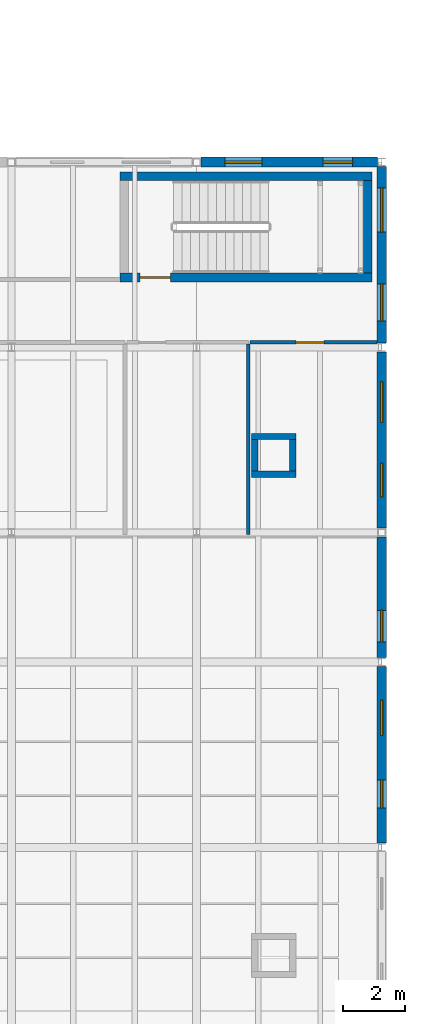
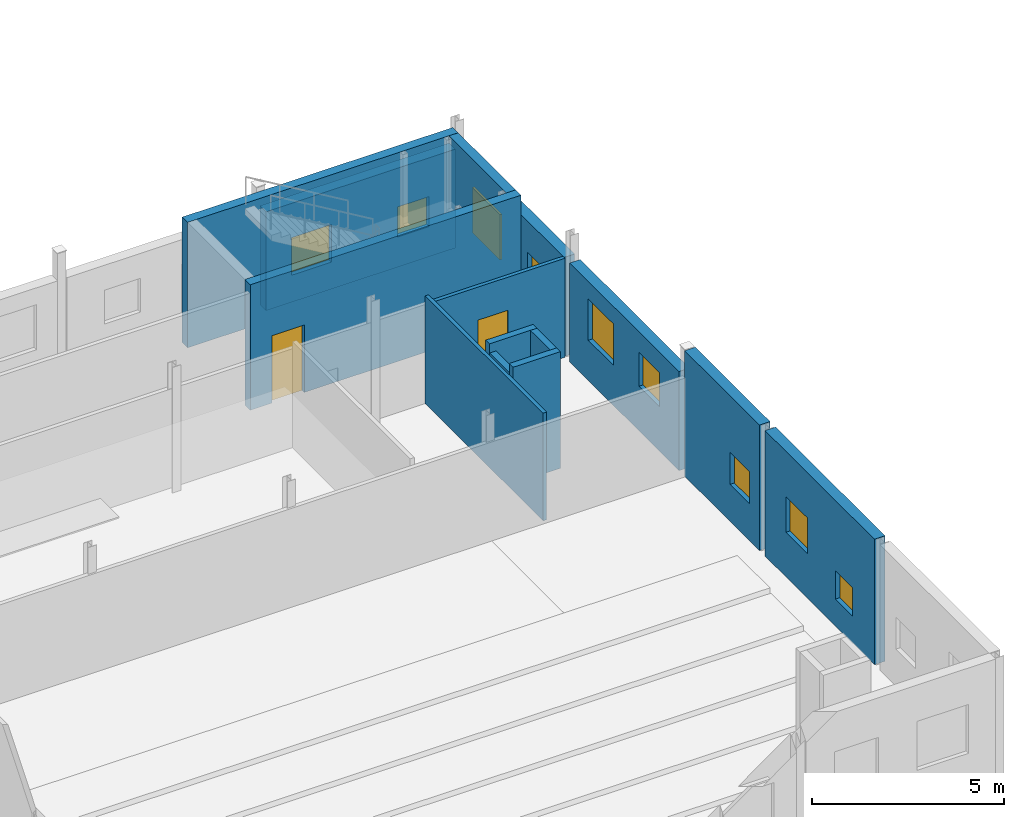
# One storey, part 76 of 92: 14 walls, 9 windows, 2 doors, 11 openings.
"""IFC4 building model written with IfcOpenShell, lengths in metres."""

from ifc_helpers import new_model, si_unit, direction, frame, frame_2d, origin, place, context, subcontext, project, spatial, rectangle, extrude, material, layer, layer_set, type_object, element, fill, save


model = new_model("IFC4")

# Units and contexts
model_context = context("Model", 3, precision=1e-05, world=origin(), true_north=direction((0.0, 1.0)))
body_context = subcontext(model_context, "Body", "Model", "MODEL_VIEW")
ifc_project = project(units=[si_unit("LENGTHUNIT", "METRE"), si_unit("AREAUNIT", "SQUARE_METRE"), si_unit("VOLUMEUNIT", "CUBIC_METRE"), si_unit("PLANEANGLEUNIT", "RADIAN"), si_unit("MASSUNIT", "GRAM", prefix="KILO")], contexts=[model_context])

# Site, building, storey
site_placement = place(None, origin())
site = spatial("IfcSite", under=ifc_project, at=site_placement, CompositionType="ELEMENT")
building_placement = place(site_placement, origin())
building = spatial("IfcBuilding", under=site, at=building_placement, Name="Siltcreek Boulevard Central Fire Station", CompositionType="ELEMENT")
storey_placement = place(building_placement, frame((0.0, 0.0, 6.0)))
storey = spatial("IfcBuildingStorey", under=building, at=storey_placement, Name="L02", CompositionType="ELEMENT", Elevation=6.0)

# Wall, opening, door
ifc_material_1 = material(Name="Concrete C40/50", Category="concrete")
ifc_layer_1 = layer(ifc_material_1, 0.280029296875, Name="Concrete C40/50")
ifc_layer_set_1 = layer_set([ifc_layer_1], Name="Concrete C40/50")
wall_type_1 = type_object("IfcWallType", Name="CW_SHEAR280", PredefinedType="SHEAR", material=ifc_layer_set_1)
wall_1_placement = place(storey_placement, frame((157.719970703125, 26.260009765625, 0.0), z_axis=(0.0, 0.0, 1.0), x_axis=(1.0, 0.0, 0.0)))
wall_1 = element("IfcWall", 1, at=wall_1_placement, inside=storey, type_object=wall_type_1, Name="L02 ST-V6B stair enclosure south shear wall", PredefinedType="SHEAR", context=body_context, shape_type="SweptSolid", body=[
    extrude(rectangle(XDim=8.159912109375, YDim=0.280029296875, at=frame_2d((4.080078125, 0.0))), origin(), (0.0, 0.0, 1.0), 4.0),
])
opening_1_placement = place(wall_1_placement, frame((0.64990234375, 0.0, 0.0)))
opening_1 = element("IfcOpeningElement", 2, at=opening_1_placement, cuts=wall_1, Name="Opening SD-048", PredefinedType="OPENING", context=body_context, shape_type="SweptSolid", body=[
    extrude(rectangle(XDim=0.97998046875, YDim=2.14990234375, at=frame_2d((0.489990234375, 1.074951171875))), frame((0.0, 0.14990234375, 0.0), z_axis=(0.0, -1.0, 0.0), x_axis=(1.0, 0.0, 0.0)), (0.0, 0.0, 1.0), 0.300048828125),
])
ifc_material_2 = material(Name="Hollow metal 90-min enclosed stair door")
door_type_1 = type_object("IfcDoorType", Name="DR_ST_098X215", OperationType="NOTDEFINED", PredefinedType="DOOR", material=ifc_material_2)
door_1_placement = place(opening_1_placement, origin())
door_1 = element("IfcDoor", 3, at=door_1_placement, inside=storey, type_object=door_type_1, Name="L02 ST-V6B enclosed exit stair door SD-048", OperationType="SINGLE_SWING_LEFT", OverallHeight=2.14990234375, OverallWidth=0.97998046875, PredefinedType="DOOR", context=body_context, shape_type="SweptSolid", body=[
    extrude(rectangle(XDim=0.97998046875, YDim=2.14990234375, at=frame_2d((0.489990234375, 1.074951171875))), frame((0.0, 0.02490234375, 0.0), z_axis=(0.0, -1.0, 0.0), x_axis=(1.0, 0.0, 0.0)), (0.0, 0.0, 1.0), 0.050048828125),
])
fill(opening_1, door_1)

# Walls
wall_2_placement = place(storey_placement, frame((165.8798828125, 29.5400390625, 0.0), z_axis=(0.0, 0.0, 1.0), x_axis=(-1.0, 0.0, 0.0)))
element("IfcWall", 4, at=wall_2_placement, inside=storey, type_object=wall_type_1, Name="L02 ST-V6B stair enclosure north shear wall", PredefinedType="SHEAR", context=body_context, shape_type="SweptSolid", body=[
    extrude(rectangle(XDim=8.159912109375, YDim=0.280029296875, at=frame_2d((4.080078125, 0.0))), origin(), (0.0, 0.0, 1.0), 4.0),
])
wall_3_placement = place(storey_placement, frame((165.739990234375, 26.39990234375, 0.0), z_axis=(0.0, 0.0, 1.0), x_axis=(0.0, 1.0, 0.0)))
element("IfcWall", 5, at=wall_3_placement, inside=storey, type_object=wall_type_1, Name="L02 ST-V6B stair enclosure east shear wall", PredefinedType="SHEAR", context=body_context, shape_type="SweptSolid", body=[
    extrude(rectangle(XDim=3.0, YDim=0.280029296875, at=frame_2d((1.5, 0.0))), origin(), (0.0, 0.0, 1.0), 4.0),
])

# Wall, openings, windows
ifc_material_3 = material(Name="White ribbed aluminum insulated rainscreen panel", Category="aluminium")
ifc_layer_2 = layer(ifc_material_3, 0.320068359375, Name="White ribbed aluminum insulated rainscreen panel")
ifc_layer_set_2 = layer_set([ifc_layer_2], Name="White ribbed aluminum insulated rainscreen panel")
wall_type_2 = type_object("IfcWallType", Name="EW_METAL320", PredefinedType="STANDARD", material=ifc_layer_set_2)
wall_4_placement = place(storey_placement, frame((166.054931640625, 30.0, 0.0), z_axis=(0.0, 0.0, 1.0), x_axis=(-1.0, 0.0, 0.0)))
wall_4 = element("IfcWall", 6, at=wall_4_placement, inside=storey, type_object=wall_type_2, Name="L02 V6 exterior insulated rainscreen wall WL-EXT-L02-0474", PredefinedType="STANDARD", context=body_context, shape_type="SweptSolid", body=[
    extrude(rectangle(XDim=5.7099609375, YDim=0.320068359375, at=frame_2d((2.85498046875, 0.0))), origin(), (0.0, 0.0, 1.0), 3.153076171875),
])
opening_2_placement = place(wall_4_placement, frame((0.7958984375, 0.0, 0.9599609375)))
opening_2 = element("IfcOpeningElement", 7, at=opening_2_placement, cuts=wall_4, Name="Opening WN06", PredefinedType="OPENING", context=body_context, shape_type="SweptSolid", body=[
    extrude(rectangle(XDim=0.9599609375, YDim=0.9599609375, at=frame_2d((0.47998046875, 0.47998046875))), frame((0.0, 0.169921875, 0.0), z_axis=(0.0, -1.0, 0.0), x_axis=(1.0, 0.0, 0.0)), (0.0, 0.0, 1.0), 0.340087890625),
])
opening_3_placement = place(wall_4_placement, frame((3.73828125, 0.0, 0.860107421875)))
opening_3 = element("IfcOpeningElement", 8, at=opening_3_placement, cuts=wall_4, Name="Opening WN01", PredefinedType="OPENING", context=body_context, shape_type="SweptSolid", body=[
    extrude(rectangle(XDim=1.199951171875, YDim=1.199951171875, at=frame_2d((0.60009765625, 0.60009765625))), frame((0.0, 0.169921875, 0.0), z_axis=(0.0, -1.0, 0.0), x_axis=(1.0, 0.0, 0.0)), (0.0, 0.0, 1.0), 0.340087890625),
])
ifc_material_4 = material(Name="Thermally broken aluminum frame with low-E insulated glass", Category="aluminium")
window_type_1 = type_object("IfcWindowType", Name="WN_SQ_096X096", PartitioningType="SINGLE_PANEL", PredefinedType="WINDOW", material=ifc_material_4)
window_1_placement = place(opening_2_placement, origin())
window_1 = element("IfcWindow", 9, at=window_1_placement, inside=storey, type_object=window_type_1, Name="L02 V6 square exterior window WN-0204", OverallHeight=0.9599609375, OverallWidth=0.9599609375, PartitioningType="SINGLE_PANEL", PredefinedType="WINDOW", context=body_context, shape_type="SweptSolid", body=[
    extrude(rectangle(XDim=0.9599609375, YDim=0.9599609375, at=frame_2d((0.47998046875, 0.47998046875))), frame((0.0, 0.030029296875, 0.0), z_axis=(0.0, -1.0, 0.0), x_axis=(1.0, 0.0, 0.0)), (0.0, 0.0, 1.0), 0.06005859375),
])
fill(opening_2, window_1)
window_type_2 = type_object("IfcWindowType", Name="WN_SQ_120X120", PartitioningType="SINGLE_PANEL", PredefinedType="WINDOW", material=ifc_material_4)
window_2_placement = place(opening_3_placement, origin())
window_2 = element("IfcWindow", 10, at=window_2_placement, inside=storey, type_object=window_type_2, Name="L02 V6 square exterior window WN-0205", OverallHeight=1.199951171875, OverallWidth=1.199951171875, PartitioningType="SINGLE_PANEL", PredefinedType="WINDOW", context=body_context, shape_type="SweptSolid", body=[
    extrude(rectangle(XDim=1.199951171875, YDim=1.199951171875, at=frame_2d((0.60009765625, 0.60009765625))), frame((0.0, 0.030029296875, 0.0), z_axis=(0.0, -1.0, 0.0), x_axis=(1.0, 0.0, 0.0)), (0.0, 0.0, 1.0), 0.06005859375),
])
fill(opening_3, window_2)

wall_5_placement = place(storey_placement, frame((166.199951171875, 7.945068359375, 0.0), z_axis=(0.0, 0.0, 1.0), x_axis=(0.0, 1.0, 0.0)))
wall_5 = element("IfcWall", 11, at=wall_5_placement, inside=storey, type_object=wall_type_2, Name="L02 V6 exterior insulated rainscreen wall WL-EXT-L02-0481", PredefinedType="STANDARD", context=body_context, shape_type="SweptSolid", body=[
    extrude(rectangle(XDim=5.7099609375, YDim=0.320068359375, at=frame_2d((2.85498046875, 0.0))), origin(), (0.0, 0.0, 1.0), 4.0),
])
opening_4_placement = place(wall_5_placement, frame((1.13134765625, 0.0, 0.860107421875)))
opening_4 = element("IfcOpeningElement", 12, at=opening_4_placement, cuts=wall_5, Name="Opening WN37", PredefinedType="OPENING", context=body_context, shape_type="SweptSolid", body=[
    extrude(rectangle(XDim=0.89990234375, YDim=0.89990234375, at=frame_2d((0.449951171875, 0.449951171875))), frame((0.0, 0.169921875, 0.0), z_axis=(0.0, -1.0, 0.0), x_axis=(1.0, 0.0, 0.0)), (0.0, 0.0, 1.0), 0.340087890625),
])
opening_5_placement = place(wall_5_placement, frame((3.4833984375, 0.0, 1.419921875)))
opening_5 = element("IfcOpeningElement", 13, at=opening_5_placement, cuts=wall_5, Name="Opening WN39", PredefinedType="OPENING", context=body_context, shape_type="SweptSolid", body=[
    extrude(rectangle(XDim=1.139892578125, YDim=1.139892578125, at=frame_2d((0.56982421875, 0.56982421875))), frame((0.0, 0.169921875, 0.0), z_axis=(0.0, -1.0, 0.0), x_axis=(1.0, 0.0, 0.0)), (0.0, 0.0, 1.0), 0.340087890625),
])
window_type_3 = type_object("IfcWindowType", Name="WN_SQ_090X090", PartitioningType="SINGLE_PANEL", PredefinedType="WINDOW", material=ifc_material_4)
window_3_placement = place(opening_4_placement, origin())
window_3 = element("IfcWindow", 14, at=window_3_placement, inside=storey, type_object=window_type_3, Name="L02 V6 square exterior window WN-0215", OverallHeight=0.89990234375, OverallWidth=0.89990234375, PartitioningType="SINGLE_PANEL", PredefinedType="WINDOW", context=body_context, shape_type="SweptSolid", body=[
    extrude(rectangle(XDim=0.89990234375, YDim=0.89990234375, at=frame_2d((0.449951171875, 0.449951171875))), frame((0.0, 0.030029296875, 0.0), z_axis=(0.0, -1.0, 0.0), x_axis=(1.0, 0.0, 0.0)), (0.0, 0.0, 1.0), 0.06005859375),
])
fill(opening_4, window_3)
window_type_4 = type_object("IfcWindowType", Name="WN_SQ_114X114", PartitioningType="SINGLE_PANEL", PredefinedType="WINDOW", material=ifc_material_4)
window_4_placement = place(opening_5_placement, origin())
window_4 = element("IfcWindow", 15, at=window_4_placement, inside=storey, type_object=window_type_4, Name="L02 V6 square exterior window WN-0216", OverallHeight=1.139892578125, OverallWidth=1.139892578125, PartitioningType="SINGLE_PANEL", PredefinedType="WINDOW", context=body_context, shape_type="SweptSolid", body=[
    extrude(rectangle(XDim=1.139892578125, YDim=1.139892578125, at=frame_2d((0.56982421875, 0.56982421875))), frame((0.0, 0.030029296875, 0.0), z_axis=(0.0, -1.0, 0.0), x_axis=(1.0, 0.0, 0.0)), (0.0, 0.0, 1.0), 0.06005859375),
])
fill(opening_5, window_4)

# Wall, opening, window
wall_6_placement = place(storey_placement, frame((166.199951171875, 13.945068359375, 0.0), z_axis=(0.0, 0.0, 1.0), x_axis=(0.0, 1.0, 0.0)))
wall_6 = element("IfcWall", 16, at=wall_6_placement, inside=storey, type_object=wall_type_2, Name="L02 V6 exterior insulated rainscreen wall WL-EXT-L02-0482", PredefinedType="STANDARD", context=body_context, shape_type="SweptSolid", body=[
    extrude(rectangle(XDim=3.909912109375, YDim=0.320068359375, at=frame_2d((1.955078125, 0.0))), origin(), (0.0, 0.0, 1.0), 4.0),
])
opening_6_placement = place(wall_6_placement, frame((0.51025390625, 0.0, 1.179931640625)))
opening_6 = element("IfcOpeningElement", 17, at=opening_6_placement, cuts=wall_6, Name="Opening WN38", PredefinedType="OPENING", context=body_context, shape_type="SweptSolid", body=[
    extrude(rectangle(XDim=1.02001953125, YDim=1.02001953125, at=frame_2d((0.510009765625, 0.510009765625))), frame((0.0, 0.169921875, 0.0), z_axis=(0.0, -1.0, 0.0), x_axis=(1.0, 0.0, 0.0)), (0.0, 0.0, 1.0), 0.340087890625),
])
window_type_5 = type_object("IfcWindowType", Name="WN_SQ_102X102", PartitioningType="SINGLE_PANEL", PredefinedType="WINDOW", material=ifc_material_4)
window_5_placement = place(opening_6_placement, origin())
window_5 = element("IfcWindow", 18, at=window_5_placement, inside=storey, type_object=window_type_5, Name="L02 V6 square exterior window WN-0217", OverallHeight=1.02001953125, OverallWidth=1.02001953125, PartitioningType="SINGLE_PANEL", PredefinedType="WINDOW", context=body_context, shape_type="SweptSolid", body=[
    extrude(rectangle(XDim=1.02001953125, YDim=1.02001953125, at=frame_2d((0.510009765625, 0.510009765625))), frame((0.0, 0.030029296875, 0.0), z_axis=(0.0, -1.0, 0.0), x_axis=(1.0, 0.0, 0.0)), (0.0, 0.0, 1.0), 0.06005859375),
])
fill(opening_6, window_5)

# Wall, openings, windows
wall_7_placement = place(storey_placement, frame((166.199951171875, 18.14501953125, 0.0), z_axis=(0.0, 0.0, 1.0), x_axis=(0.0, 1.0, 0.0)))
wall_7 = element("IfcWall", 19, at=wall_7_placement, inside=storey, type_object=wall_type_2, Name="L02 V6 exterior insulated rainscreen wall WL-EXT-L02-0483", PredefinedType="STANDARD", context=body_context, shape_type="SweptSolid", body=[
    extrude(rectangle(XDim=5.7099609375, YDim=0.320068359375, at=frame_2d((2.85498046875, 0.0))), origin(), (0.0, 0.0, 1.0), 3.156982421875),
])
opening_7_placement = place(wall_7_placement, frame((1.014404296875, 0.0, 1.419921875)))
opening_7 = element("IfcOpeningElement", 20, at=opening_7_placement, cuts=wall_7, Name="Opening WN05", PredefinedType="OPENING", context=body_context, shape_type="SweptSolid", body=[
    extrude(rectangle(XDim=1.080078125, YDim=1.080078125, at=frame_2d((0.5400390625, 0.5400390625))), frame((0.0, 0.169921875, 0.0), z_axis=(0.0, -1.0, 0.0), x_axis=(1.0, 0.0, 0.0)), (0.0, 0.0, 1.0), 0.340087890625),
])
opening_8_placement = place(wall_7_placement, frame((3.42041015625, 0.0, 1.280029296875)))
opening_8 = element("IfcOpeningElement", 21, at=opening_8_placement, cuts=wall_7, Name="Opening WN02", PredefinedType="OPENING", context=body_context, shape_type="SweptSolid", body=[
    extrude(rectangle(XDim=1.320068359375, YDim=1.320068359375, at=frame_2d((0.66015625, 0.66015625))), frame((0.0, 0.169921875, 0.0), z_axis=(0.0, -1.0, 0.0), x_axis=(1.0, 0.0, 0.0)), (0.0, 0.0, 1.0), 0.340087890625),
])
window_type_6 = type_object("IfcWindowType", Name="WN_SQ_108X108", PartitioningType="SINGLE_PANEL", PredefinedType="WINDOW", material=ifc_material_4)
window_6_placement = place(opening_7_placement, origin())
window_6 = element("IfcWindow", 22, at=window_6_placement, inside=storey, type_object=window_type_6, Name="L02 V6 square exterior window WN-0218", OverallHeight=1.080078125, OverallWidth=1.080078125, PartitioningType="SINGLE_PANEL", PredefinedType="WINDOW", context=body_context, shape_type="SweptSolid", body=[
    extrude(rectangle(XDim=1.080078125, YDim=1.080078125, at=frame_2d((0.5400390625, 0.5400390625))), frame((0.0, 0.030029296875, 0.0), z_axis=(0.0, -1.0, 0.0), x_axis=(1.0, 0.0, 0.0)), (0.0, 0.0, 1.0), 0.06005859375),
])
fill(opening_7, window_6)
window_type_7 = type_object("IfcWindowType", Name="WN_SQ_132X132", PartitioningType="SINGLE_PANEL", PredefinedType="WINDOW", material=ifc_material_4)
window_7_placement = place(opening_8_placement, origin())
window_7 = element("IfcWindow", 23, at=window_7_placement, inside=storey, type_object=window_type_7, Name="L02 V6 square exterior window WN-0219", OverallHeight=1.320068359375, OverallWidth=1.320068359375, PartitioningType="SINGLE_PANEL", PredefinedType="WINDOW", context=body_context, shape_type="SweptSolid", body=[
    extrude(rectangle(XDim=1.320068359375, YDim=1.320068359375, at=frame_2d((0.66015625, 0.66015625))), frame((0.0, 0.030029296875, 0.0), z_axis=(0.0, -1.0, 0.0), x_axis=(1.0, 0.0, 0.0)), (0.0, 0.0, 1.0), 0.06005859375),
])
fill(opening_8, window_7)

wall_8_placement = place(storey_placement, frame((166.199951171875, 24.14501953125, 0.0), z_axis=(0.0, 0.0, 1.0), x_axis=(0.0, 1.0, 0.0)))
wall_8 = element("IfcWall", 24, at=wall_8_placement, inside=storey, type_object=wall_type_2, Name="L02 V6 exterior insulated rainscreen wall WL-EXT-L02-0484", PredefinedType="STANDARD", context=body_context, shape_type="SweptSolid", body=[
    extrude(rectangle(XDim=5.7099609375, YDim=0.320068359375, at=frame_2d((2.85498046875, 0.0))), origin(), (0.0, 0.0, 1.0), 3.156982421875),
])
opening_9_placement = place(wall_8_placement, frame((0.7119140625, 0.0, 0.9599609375)))
opening_9 = element("IfcOpeningElement", 25, at=opening_9_placement, cuts=wall_8, Name="Opening WN01", PredefinedType="OPENING", context=body_context, shape_type="SweptSolid", body=[
    extrude(rectangle(XDim=1.199951171875, YDim=1.199951171875, at=frame_2d((0.60009765625, 0.60009765625))), frame((0.0, 0.169921875, 0.0), z_axis=(0.0, -1.0, 0.0), x_axis=(1.0, 0.0, 0.0)), (0.0, 0.0, 1.0), 0.340087890625),
])
opening_10_placement = place(wall_8_placement, frame((3.582275390625, 0.0, 0.860107421875)))
opening_10 = element("IfcOpeningElement", 26, at=opening_10_placement, cuts=wall_8, Name="Opening WN03", PredefinedType="OPENING", context=body_context, shape_type="SweptSolid", body=[
    extrude(rectangle(XDim=1.43994140625, YDim=1.43994140625, at=frame_2d((0.719970703125, 0.719970703125))), frame((0.0, 0.169921875, 0.0), z_axis=(0.0, -1.0, 0.0), x_axis=(1.0, 0.0, 0.0)), (0.0, 0.0, 1.0), 0.340087890625),
])
window_8_placement = place(opening_9_placement, origin())
window_8 = element("IfcWindow", 27, at=window_8_placement, inside=storey, type_object=window_type_2, Name="L02 V6 square exterior window WN-0220", OverallHeight=1.199951171875, OverallWidth=1.199951171875, PartitioningType="SINGLE_PANEL", PredefinedType="WINDOW", context=body_context, shape_type="SweptSolid", body=[
    extrude(rectangle(XDim=1.199951171875, YDim=1.199951171875, at=frame_2d((0.60009765625, 0.60009765625))), frame((0.0, 0.030029296875, 0.0), z_axis=(0.0, -1.0, 0.0), x_axis=(1.0, 0.0, 0.0)), (0.0, 0.0, 1.0), 0.06005859375),
])
fill(opening_9, window_8)
window_type_8 = type_object("IfcWindowType", Name="WN_SQ_144X144", PartitioningType="SINGLE_PANEL", PredefinedType="WINDOW", material=ifc_material_4)
window_9_placement = place(opening_10_placement, origin())
window_9 = element("IfcWindow", 28, at=window_9_placement, inside=storey, type_object=window_type_8, Name="L02 V6 square exterior window WN-0221", OverallHeight=1.43994140625, OverallWidth=1.43994140625, PartitioningType="SINGLE_PANEL", PredefinedType="WINDOW", context=body_context, shape_type="SweptSolid", body=[
    extrude(rectangle(XDim=1.43994140625, YDim=1.43994140625, at=frame_2d((0.719970703125, 0.719970703125))), frame((0.0, 0.030029296875, 0.0), z_axis=(0.0, -1.0, 0.0), x_axis=(1.0, 0.0, 0.0)), (0.0, 0.0, 1.0), 0.06005859375),
])
fill(opening_10, window_9)

# Walls
ifc_material_5 = material(Name="Fire-rated concrete masonry and gypsum barrier", Category="masonry")
ifc_layer_3 = layer(ifc_material_5, 0.199951171875, Name="Fire-rated concrete masonry and gypsum barrier")
ifc_layer_set_3 = layer_set([ifc_layer_3], Name="Fire-rated concrete masonry and gypsum barrier")
wall_type_3 = type_object("IfcWallType", Name="IW_FIRE200", PredefinedType="PARTITIONING", material=ifc_layer_set_3)
wall_9_placement = place(storey_placement, frame((161.985107421875, 19.885009765625, 0.0), z_axis=(0.0, 0.0, 1.0), x_axis=(1.0, 0.0, 0.0)))
element("IfcWall", 29, at=wall_9_placement, inside=storey, type_object=wall_type_3, Name="L02 enclosed MEP service riser wall 023-S", PredefinedType="PARTITIONING", context=body_context, shape_type="SweptSolid", body=[
    extrude(rectangle(XDim=1.429931640625, YDim=0.199951171875, at=frame_2d((0.71484375, 0.0))), origin(), (0.0, 0.0, 1.0), 3.719970703125),
])
wall_10_placement = place(storey_placement, frame((163.31494140625, 19.985107421875, 0.0), z_axis=(0.0, 0.0, 1.0), x_axis=(0.0, 1.0, 0.0)))
element("IfcWall", 30, at=wall_10_placement, inside=storey, type_object=wall_type_3, Name="L02 enclosed MEP service riser wall 023-E", PredefinedType="PARTITIONING", context=body_context, shape_type="SweptSolid", body=[
    extrude(rectangle(XDim=1.02978515625, YDim=0.199951171875, at=frame_2d((0.514892578125, 0.0))), origin(), (0.0, 0.0, 1.0), 3.719970703125),
])
wall_11_placement = place(storey_placement, frame((163.4150390625, 21.114990234375, 0.0), z_axis=(0.0, 0.0, 1.0), x_axis=(-1.0, 0.0, 0.0)))
element("IfcWall", 31, at=wall_11_placement, inside=storey, type_object=wall_type_3, Name="L02 enclosed MEP service riser wall 023-N", PredefinedType="PARTITIONING", context=body_context, shape_type="SweptSolid", body=[
    extrude(rectangle(XDim=1.429931640625, YDim=0.199951171875, at=frame_2d((0.71484375, 0.0))), origin(), (0.0, 0.0, 1.0), 3.719970703125),
])
wall_12_placement = place(storey_placement, frame((162.0849609375, 21.014892578125, 0.0), z_axis=(0.0, 0.0, 1.0), x_axis=(0.0, -1.0, 0.0)))
element("IfcWall", 32, at=wall_12_placement, inside=storey, type_object=wall_type_3, Name="L02 enclosed MEP service riser wall 023-W", PredefinedType="PARTITIONING", context=body_context, shape_type="SweptSolid", body=[
    extrude(rectangle(XDim=1.02978515625, YDim=0.199951171875, at=frame_2d((0.514892578125, 0.0))), origin(), (0.0, 0.0, 1.0), 3.429931640625),
])
ifc_material_6 = material(Name="Moisture-resistant tile backer toilet partition", Category="gypsum")
ifc_layer_4 = layer(ifc_material_6, 0.110107421875, Name="Moisture-resistant tile backer toilet partition")
ifc_layer_set_4 = layer_set([ifc_layer_4], Name="Moisture-resistant tile backer toilet partition")
wall_type_4 = type_object("IfcWallType", Name="IW_WET110", PredefinedType="PARTITIONING", material=ifc_layer_set_4)
wall_13_placement = place(storey_placement, frame((161.8798828125, 24.10498046875, 0.0), z_axis=(0.0, 0.0, 1.0), x_axis=(0.0, -1.0, 0.0)))
element("IfcWall", 33, at=wall_13_placement, inside=storey, type_object=wall_type_4, Name="L02 Academy Staff Toilet L02 partition 0199", PredefinedType="PARTITIONING", context=body_context, shape_type="SweptSolid", body=[
    extrude(rectangle(XDim=6.16259765625, YDim=0.110107421875, at=frame_2d((3.081298828125, 0.0))), origin(), (0.0, 0.0, 1.0), 3.429931640625),
])

# Wall, opening, door
wall_14_placement = place(storey_placement, frame((161.93505859375, 24.159912109375, 0.0), z_axis=(0.0, 0.0, 1.0), x_axis=(1.0, 0.0, 0.0)))
wall_14 = element("IfcWall", 34, at=wall_14_placement, inside=storey, type_object=wall_type_4, Name="L02 Academy Accessible Toilet L02 partition 0200", PredefinedType="PARTITIONING", context=body_context, shape_type="SweptSolid", body=[
    extrude(rectangle(XDim=4.10498046875, YDim=0.110107421875, at=frame_2d((2.052490234375, 0.0))), origin(), (0.0, 0.0, 1.0), 3.153076171875),
])
opening_11_placement = place(wall_14_placement, frame((1.491455078125, 0.0, 0.0)))
opening_11 = element("IfcOpeningElement", 35, at=opening_11_placement, cuts=wall_14, Name="Opening ID08", PredefinedType="OPENING", context=body_context, shape_type="SweptSolid", body=[
    extrude(rectangle(XDim=0.89990234375, YDim=2.10009765625, at=frame_2d((0.449951171875, 1.050048828125))), frame((0.0, 0.06494140625, 0.0), z_axis=(0.0, -1.0, 0.0), x_axis=(1.0, 0.0, 0.0)), (0.0, 0.0, 1.0), 0.130126953125),
])
ifc_material_7 = material(Name="Moisture-resistant accessible toilet door")
door_type_2 = type_object("IfcDoorType", Name="DR_WC_090X210", OperationType="NOTDEFINED", PredefinedType="DOOR", material=ifc_material_7)
door_2_placement = place(opening_11_placement, frame((0.89990234375, 0.0, 0.0), z_axis=(0.0, 0.0, 1.0), x_axis=(-1.0, 0.0, 0.0)))
door_2 = element("IfcDoor", 36, at=door_2_placement, inside=storey, type_object=door_type_2, Name="L02 Academy Accessible Toilet L02 door ID-0091", OperationType="SINGLE_SWING_RIGHT", OverallHeight=2.10009765625, OverallWidth=0.89990234375, PredefinedType="DOOR", context=body_context, shape_type="SweptSolid", body=[
    extrude(rectangle(XDim=0.89990234375, YDim=2.10009765625, at=frame_2d((0.449951171875, 1.050048828125))), frame((0.0, 0.02490234375, 0.0), z_axis=(0.0, -1.0, 0.0), x_axis=(1.0, 0.0, 0.0)), (0.0, 0.0, 1.0), 0.050048828125),
])
fill(opening_11, door_2)

save(model, "model.ifc")
